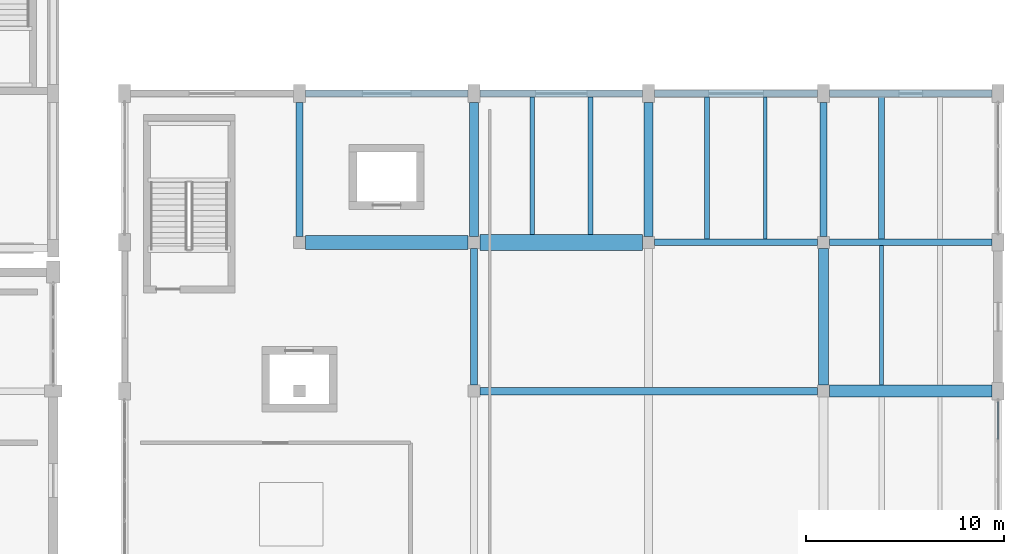
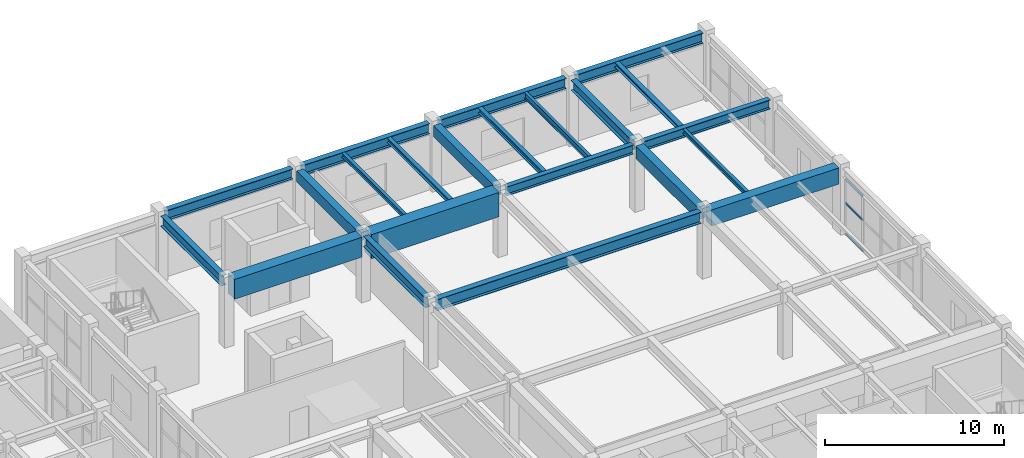
# One storey, part 52 of 85: 22 beams, 3 members, 1 element without a shape of its own.
"""IFC4 building model written with IfcOpenShell, lengths in metres."""

from ifc_helpers import new_model, si_unit, direction, frame, origin, origin_2d, place, context, subcontext, project, spatial, rectangle, hollow_rectangle, i_section, extrude, material, layer, layer_set, material_profile, profile_set, type_object, element, aggregate, save


model = new_model("IFC4")

# Units and contexts
model_context = context("Model", 3, precision=1e-05, world=origin(), true_north=direction((0.0, 1.0)))
body_context = subcontext(model_context, "Body", "Model", "MODEL_VIEW")
ifc_project = project(units=[si_unit("LENGTHUNIT", "METRE"), si_unit("AREAUNIT", "SQUARE_METRE"), si_unit("VOLUMEUNIT", "CUBIC_METRE"), si_unit("PLANEANGLEUNIT", "RADIAN"), si_unit("MASSUNIT", "GRAM", prefix="KILO")], contexts=[model_context])

# Site, building, storey
site_placement = place(None, origin())
site = spatial("IfcSite", under=ifc_project, at=site_placement, CompositionType="ELEMENT")
building_placement = place(site_placement, origin())
building = spatial("IfcBuilding", under=site, at=building_placement, Name="Vaelkrest Opera House", CompositionType="ELEMENT")
storey_placement = place(building_placement, frame((0.0, 0.0, 10.199951171875)))
storey = spatial("IfcBuildingStorey", under=building, at=storey_placement, Name="L02", CompositionType="ELEMENT", Elevation=10.199951171875)

# Beams
ifc_material_1 = material(Name="Concrete C50/60", Category="concrete")
ifc_material_profile_1 = material_profile(ifc_material_1, rectangle(XDim=0.449951171875, YDim=0.75, at=origin_2d()), Name="RCB450X750")
ifc_profile_set_1 = profile_set([ifc_material_profile_1], Name="Concrete C50/60")
beam_type_1 = type_object("IfcBeamType", Name="B02", PredefinedType="BEAM", material=ifc_profile_set_1)
for number, where, z_axis, x_axis, name in (
    (1, (51.199951171875, 18.0, 4.130126953125), (0.0, 1.0, 0.0), (-1.0, 0.0, 0.0), "Beam BM-V4-L02-2295"),
    (2, (60.0, 18.0, 4.130126953125), (0.0, 1.0, 0.0), (-1.0, 0.0, 0.0), "Beam BM-V4-L02-2299"),
):
    element("IfcBeam", number, at=place(storey_placement, frame(where, z_axis=z_axis, x_axis=x_axis)), inside=storey, type_object=beam_type_1, Name=name, PredefinedType="BEAM", context=body_context, shape_type="SweptSolid", body=[
        extrude(rectangle(XDim=0.449951171875, YDim=0.75, at=origin_2d()), origin(), (0.0, 0.0, 1.0), 6.75),
    ])
ifc_material_profile_2 = material_profile(ifc_material_1, rectangle(XDim=0.5, YDim=0.85009765625, at=origin_2d()), Name="RCB500X850")
ifc_profile_set_2 = profile_set([ifc_material_profile_2], Name="Concrete C50/60")
beam_type_2 = type_object("IfcBeamType", Name="B03", PredefinedType="BEAM", material=ifc_profile_set_2)
beam_1_placement = place(storey_placement, frame((68.800048828125, 10.5, 4.080078125), z_axis=(0.0, 1.0, 0.0), x_axis=(-1.0, 0.0, 0.0)))
element("IfcBeam", 3, at=beam_1_placement, inside=storey, type_object=beam_type_2, Name="Beam BM-V4-L02-2304", PredefinedType="BEAM", context=body_context, shape_type="SweptSolid", body=[
    extrude(rectangle(XDim=0.5, YDim=0.85009765625, at=origin_2d()), origin(), (0.0, 0.0, 1.0), 6.89990234375),
])
ifc_material_profile_3 = material_profile(ifc_material_1, rectangle(XDim=0.60009765625, YDim=1.10009765625, at=origin_2d()), Name="RCB600X1100")
ifc_profile_set_3 = profile_set([ifc_material_profile_3], Name="Concrete C50/60")
beam_type_3 = type_object("IfcBeamType", Name="B05", PredefinedType="BEAM", material=ifc_profile_set_3)
beam_2_placement = place(storey_placement, frame((69.10009765625, 10.199951171875, 3.955078125), z_axis=(1.0, 0.0, 0.0), x_axis=(0.0, 1.0, 0.0)))
element("IfcBeam", 4, at=beam_2_placement, inside=storey, type_object=beam_type_3, Name="Beam BM-V4-L02-2270", PredefinedType="BEAM", context=body_context, shape_type="SweptSolid", body=[
    extrude(rectangle(XDim=0.60009765625, YDim=1.10009765625, at=origin_2d()), origin(), (0.0, 0.0, 1.0), 8.199951171875),
])
ifc_material_profile_4 = material_profile(ifc_material_1, rectangle(XDim=0.699951171875, YDim=1.35009765625, at=origin_2d()), Name="RCB700X1350")
ifc_profile_set_4 = profile_set([ifc_material_profile_4], Name="Concrete C50/60")
beam_type_4 = type_object("IfcBeamType", Name="B06", PredefinedType="BEAM", material=ifc_profile_set_4)
beam_3_placement = place(storey_placement, frame((42.699951171875, 17.699951171875, 3.830078125), z_axis=(1.0, 0.0, 0.0), x_axis=(0.0, 1.0, 0.0)))
element("IfcBeam", 5, at=beam_3_placement, inside=storey, type_object=beam_type_4, Name="Beam BM-V4-L02-2271", PredefinedType="BEAM", context=body_context, shape_type="SweptSolid", body=[
    extrude(rectangle(XDim=0.699951171875, YDim=1.35009765625, at=origin_2d()), origin(), (0.0, 0.0, 1.0), 8.199951171875),
])
ifc_material_profile_5 = material_profile(ifc_material_1, rectangle(XDim=0.800048828125, YDim=1.64990234375, at=origin_2d()), Name="RCB800X1650")
ifc_profile_set_5 = profile_set([ifc_material_profile_5], Name="Concrete C50/60")
beam_type_5 = type_object("IfcBeamType", Name="B07", PredefinedType="BEAM", material=ifc_profile_set_5)
beam_4_placement = place(storey_placement, frame((51.5, 17.699951171875, 3.679931640625), z_axis=(1.0, 0.0, 0.0), x_axis=(0.0, 1.0, 0.0)))
element("IfcBeam", 6, at=beam_4_placement, inside=storey, type_object=beam_type_5, Name="Beam BM-V4-L02-2272", PredefinedType="BEAM", context=body_context, shape_type="SweptSolid", body=[
    extrude(rectangle(XDim=0.800048828125, YDim=1.64990234375, at=origin_2d()), origin(), (0.0, 0.0, 1.0), 8.199951171875),
])
ifc_material_2 = material(Name="Steel A992 Gr50", Category="steel")
ifc_material_profile_6 = material_profile(ifc_material_2, i_section(OverallWidth=0.323974609375, OverallDepth=0.611083984375, WebThickness=0.0126953125, FlangeThickness=0.01904296875, at=origin_2d()), Name="W24X104")
ifc_profile_set_6 = profile_set([ifc_material_profile_6], Name="Steel A992 Gr50")
beam_type_6 = type_object("IfcBeamType", Name="B08", PredefinedType="BEAM", material=ifc_profile_set_6)
beam_5_placement = place(storey_placement, frame((60.300048828125, 17.699951171875, 4.199462890625), z_axis=(1.0, 0.0, 0.0), x_axis=(0.0, 1.0, 0.0)))
element("IfcBeam", 7, at=beam_5_placement, inside=storey, type_object=beam_type_6, Name="Beam BM-V4-L02-2273", PredefinedType="BEAM", context=body_context, shape_type="SweptSolid", body=[
    extrude(i_section(OverallWidth=0.323974609375, OverallDepth=0.611083984375, WebThickness=0.0126953125, FlangeThickness=0.01904296875, at=origin_2d()), origin(), (0.0, 0.0, 1.0), 8.199951171875),
])
ifc_material_profile_7 = material_profile(ifc_material_2, i_section(OverallWidth=0.327880859375, OverallDepth=0.6279296875, WebThickness=0.0166015625, FlangeThickness=0.027587890625, at=origin_2d()), Name="W24X146")
ifc_profile_set_7 = profile_set([ifc_material_profile_7], Name="Steel A992 Gr50")
beam_type_7 = type_object("IfcBeamType", Name="B09", PredefinedType="BEAM", material=ifc_profile_set_7)
beam_6_placement = place(storey_placement, frame((69.10009765625, 17.699951171875, 4.191162109375), z_axis=(1.0, 0.0, 0.0), x_axis=(0.0, 1.0, 0.0)))
element("IfcBeam", 8, at=beam_6_placement, inside=storey, type_object=beam_type_7, Name="Beam BM-V4-L02-2274", PredefinedType="BEAM", context=body_context, shape_type="SweptSolid", body=[
    extrude(i_section(OverallWidth=0.327880859375, OverallDepth=0.6279296875, WebThickness=0.0166015625, FlangeThickness=0.027587890625, at=origin_2d()), origin(), (0.0, 0.0, 1.0), 8.199951171875),
])
ifc_material_profile_8 = material_profile(ifc_material_2, i_section(OverallWidth=0.35498046875, OverallDepth=0.695068359375, WebThickness=0.015380859375, FlangeThickness=0.02490234375, at=origin_2d()), Name="W27X146")
ifc_profile_set_8 = profile_set([ifc_material_profile_8], Name="Steel A992 Gr50")
beam_type_8 = type_object("IfcBeamType", Name="B10", PredefinedType="BEAM", material=ifc_profile_set_8)
for number, where, z_axis, x_axis, name in (
    (9, (42.39990234375, 18.0, 4.157470703125), (0.0, 1.0, 0.0), (-1.0, 0.0, 0.0), "Beam BM-V4-L02-2289"),
    (10, (68.800048828125, 18.0, 4.157470703125), (0.0, 1.0, 0.0), (-1.0, 0.0, 0.0), "Beam BM-V4-L02-2305"),
):
    element("IfcBeam", number, at=place(storey_placement, frame(where, z_axis=z_axis, x_axis=x_axis)), inside=storey, type_object=beam_type_8, Name=name, PredefinedType="BEAM", context=body_context, shape_type="SweptSolid", body=[
        extrude(i_section(OverallWidth=0.35498046875, OverallDepth=0.695068359375, WebThickness=0.015380859375, FlangeThickness=0.02490234375, at=origin_2d()), origin(), (0.0, 0.0, 1.0), 6.75),
    ])
ifc_material_profile_9 = material_profile(ifc_material_2, i_section(OverallWidth=0.381103515625, OverallDepth=0.77294921875, WebThickness=0.0166015625, FlangeThickness=0.027099609375, at=origin_2d()), Name="W30X173")
ifc_profile_set_9 = profile_set([ifc_material_profile_9], Name="Steel A992 Gr50")
beam_type_9 = type_object("IfcBeamType", Name="B11", PredefinedType="BEAM", material=ifc_profile_set_9)
beam_7_placement = place(storey_placement, frame((51.5, 10.199951171875, 4.11865234375), z_axis=(1.0, 0.0, 0.0), x_axis=(0.0, 1.0, 0.0)))
element("IfcBeam", 11, at=beam_7_placement, inside=storey, type_object=beam_type_9, Name="Beam BM-V4-L02-2269", PredefinedType="BEAM", context=body_context, shape_type="SweptSolid", body=[
    extrude(i_section(OverallWidth=0.381103515625, OverallDepth=0.77294921875, WebThickness=0.0166015625, FlangeThickness=0.027099609375, at=origin_2d()), origin(), (0.0, 0.0, 1.0), 17.0),
])
ifc_material_profile_10 = material_profile(ifc_material_2, i_section(OverallWidth=0.35791015625, OverallDepth=0.7060546875, WebThickness=0.018310546875, FlangeThickness=0.0302734375, at=origin_2d()), Name="W27X178")
ifc_profile_set_10 = profile_set([ifc_material_profile_10], Name="Steel A992 Gr50")
beam_type_10 = type_object("IfcBeamType", Name="B14", PredefinedType="BEAM", material=ifc_profile_set_10)
beam_8_placement = place(storey_placement, frame((51.199951171875, 10.5, 4.152099609375), z_axis=(0.0, 1.0, 0.0), x_axis=(-1.0, 0.0, 0.0)))
element("IfcBeam", 12, at=beam_8_placement, inside=storey, type_object=beam_type_10, Name="Beam BM-V4-L02-2294", PredefinedType="BEAM", context=body_context, shape_type="SweptSolid", body=[
    extrude(i_section(OverallWidth=0.35791015625, OverallDepth=0.7060546875, WebThickness=0.018310546875, FlangeThickness=0.0302734375, at=origin_2d()), origin(), (0.0, 0.0, 1.0), 6.89990234375),
])

# Curtain wall, members
ifc_material_3 = material(Name="Dark bronze anodized aluminium", Category="aluminium")
ifc_layer = layer(ifc_material_3, 0.239990234375)
ifc_layer_set = layer_set([ifc_layer], Name="Dark bronze anodized aluminium")
curtain_wall_type = type_object("IfcCurtainWallType", Name="CW07", PredefinedType="NOTDEFINED", material=ifc_layer_set)
curtain_wall_placement = place(storey_placement, origin())
curtain_wall = element("IfcCurtainWall", 13, at=curtain_wall_placement, inside=storey, type_object=curtain_wall_type, Name="Curtain wall CW-L02-165", PredefinedType="NOTDEFINED")
ifc_material_profile_11 = material_profile(ifc_material_3, hollow_rectangle(XDim=0.06494140625, YDim=0.139892578125, WallThickness=0.00390625, at=origin_2d()), Name="CWT65X140")
ifc_profile_set_11 = profile_set([ifc_material_profile_11], Name="Dark bronze anodized aluminium")
member_type = type_object("IfcMemberType", Name="CWT01", PredefinedType="USERDEFINED", material=ifc_profile_set_11)
member_1_placement = place(storey_placement, frame((77.60009765625, 9.677001953125, 0.032470703125), z_axis=(0.0, -1.0, 0.0), x_axis=(1.0, 0.0, 0.0)))
member_1 = element("IfcMember", 14, at=member_1_placement, type_object=member_type, Name="CW07 transom 1.1", ObjectType="TRANSOM", PredefinedType="USERDEFINED", context=body_context, shape_type="SweptSolid", body=[
    extrude(hollow_rectangle(XDim=0.06494140625, YDim=0.139892578125, WallThickness=0.00390625, at=origin_2d()), origin(), (0.0, 0.0, 1.0), 1.91357421875),
])
member_2_placement = place(storey_placement, frame((77.60009765625, 9.677001953125, 2.150146484375), z_axis=(0.0, -1.0, 0.0), x_axis=(1.0, 0.0, 0.0)))
member_2 = element("IfcMember", 15, at=member_2_placement, type_object=member_type, Name="CW07 transom 1.2", ObjectType="TRANSOM", PredefinedType="USERDEFINED", context=body_context, shape_type="SweptSolid", body=[
    extrude(hollow_rectangle(XDim=0.06494140625, YDim=0.139892578125, WallThickness=0.00390625, at=origin_2d()), origin(), (0.0, 0.0, 1.0), 1.91357421875),
])
member_3_placement = place(storey_placement, frame((77.60009765625, 9.677001953125, 3.796630859375), z_axis=(0.0, -1.0, 0.0), x_axis=(1.0, 0.0, 0.0)))
member_3 = element("IfcMember", 16, at=member_3_placement, type_object=member_type, Name="CW07 transom 1.3", ObjectType="TRANSOM", PredefinedType="USERDEFINED", context=body_context, shape_type="SweptSolid", body=[
    extrude(hollow_rectangle(XDim=0.06494140625, YDim=0.139892578125, WallThickness=0.00390625, at=origin_2d()), origin(), (0.0, 0.0, 1.0), 1.91357421875),
])
aggregate(curtain_wall, [member_1, member_2, member_3])

# Beams
ifc_material_profile_12 = material_profile(ifc_material_2, i_section(OverallWidth=0.202880859375, OverallDepth=0.302978515625, WebThickness=0.007568359375, FlangeThickness=0.01318359375, at=origin_2d()), Name="W12X40")
ifc_profile_set_12 = profile_set([ifc_material_profile_12], Name="Steel A992 Gr50")
beam_type_11 = type_object("IfcBeamType", Name="J02", PredefinedType="JOIST", material=ifc_profile_set_12)
beam_9_placement = place(storey_placement, frame((54.133056640625, 18.10009765625, 4.353515625), z_axis=(0.0, 1.0, 0.0), x_axis=(-1.0, 0.0, 0.0)))
element("IfcBeam", 17, at=beam_9_placement, inside=storey, type_object=beam_type_11, Name="Floor joist JST-V4-L02-2322", PredefinedType="JOIST", context=body_context, shape_type="SweptSolid", body=[
    extrude(i_section(OverallWidth=0.202880859375, OverallDepth=0.302978515625, WebThickness=0.007568359375, FlangeThickness=0.01318359375, at=origin_2d()), origin(), (0.0, 0.0, 1.0), 6.92236328125),
])
beam_10_placement = place(storey_placement, frame((71.73291015625, 10.5, 4.353515625), z_axis=(0.0, 1.0, 0.0), x_axis=(-1.0, 0.0, 0.0)))
element("IfcBeam", 18, at=beam_10_placement, inside=storey, type_object=beam_type_11, Name="Floor joist JST-V4-L02-2332", PredefinedType="JOIST", context=body_context, shape_type="SweptSolid", body=[
    extrude(i_section(OverallWidth=0.202880859375, OverallDepth=0.302978515625, WebThickness=0.007568359375, FlangeThickness=0.01318359375, at=origin_2d()), origin(), (0.0, 0.0, 1.0), 7.035888671875),
])
ifc_material_profile_13 = material_profile(ifc_material_2, i_section(OverallWidth=0.25390625, OverallDepth=0.305908203125, WebThickness=0.0087890625, FlangeThickness=0.0146484375, at=origin_2d()), Name="W12X53")
ifc_profile_set_13 = profile_set([ifc_material_profile_13], Name="Steel A992 Gr50")
beam_type_12 = type_object("IfcBeamType", Name="J03", PredefinedType="JOIST", material=ifc_profile_set_13)
beam_11_placement = place(storey_placement, frame((57.06689453125, 18.10009765625, 4.35205078125), z_axis=(0.0, 1.0, 0.0), x_axis=(-1.0, 0.0, 0.0)))
element("IfcBeam", 19, at=beam_11_placement, inside=storey, type_object=beam_type_12, Name="Floor joist JST-V4-L02-2323", PredefinedType="JOIST", context=body_context, shape_type="SweptSolid", body=[
    extrude(i_section(OverallWidth=0.25390625, OverallDepth=0.305908203125, WebThickness=0.0087890625, FlangeThickness=0.0146484375, at=origin_2d()), origin(), (0.0, 0.0, 1.0), 6.92236328125),
])
ifc_material_profile_14 = material_profile(ifc_material_2, i_section(OverallWidth=0.304931640625, OverallDepth=0.30810546875, WebThickness=0.010009765625, FlangeThickness=0.015380859375, at=origin_2d()), Name="W12X65")
ifc_profile_set_14 = profile_set([ifc_material_profile_14], Name="Steel A992 Gr50")
beam_type_13 = type_object("IfcBeamType", Name="J04", PredefinedType="JOIST", material=ifc_profile_set_14)
beam_12_placement = place(storey_placement, frame((71.73291015625, 17.864013671875, 4.35107421875), z_axis=(0.0, 1.0, 0.0), x_axis=(-1.0, 0.0, 0.0)))
element("IfcBeam", 20, at=beam_12_placement, inside=storey, type_object=beam_type_13, Name="Floor joist JST-V4-L02-2334", PredefinedType="JOIST", context=body_context, shape_type="SweptSolid", body=[
    extrude(i_section(OverallWidth=0.304931640625, OverallDepth=0.30810546875, WebThickness=0.010009765625, FlangeThickness=0.015380859375, at=origin_2d()), origin(), (0.0, 0.0, 1.0), 7.158447265625),
])
ifc_material_profile_15 = material_profile(ifc_material_2, i_section(OverallWidth=0.257080078125, OverallDepth=0.363037109375, WebThickness=0.012939453125, FlangeThickness=0.021728515625, at=origin_2d()), Name="W14X82")
ifc_profile_set_15 = profile_set([ifc_material_profile_15], Name="Steel A992 Gr50")
beam_type_14 = type_object("IfcBeamType", Name="J06", PredefinedType="JOIST", material=ifc_profile_set_15)
beam_13_placement = place(storey_placement, frame((62.93310546875, 17.862060546875, 4.323486328125), z_axis=(0.0, 1.0, 0.0), x_axis=(-1.0, 0.0, 0.0)))
element("IfcBeam", 21, at=beam_13_placement, inside=storey, type_object=beam_type_14, Name="Floor joist JST-V4-L02-2326", PredefinedType="JOIST", context=body_context, shape_type="SweptSolid", body=[
    extrude(i_section(OverallWidth=0.257080078125, OverallDepth=0.363037109375, WebThickness=0.012939453125, FlangeThickness=0.021728515625, at=origin_2d()), origin(), (0.0, 0.0, 1.0), 7.160400390625),
])
ifc_material_profile_16 = material_profile(ifc_material_2, i_section(OverallWidth=0.180908203125, OverallDepth=0.4169921875, WebThickness=0.010986328125, FlangeThickness=0.018310546875, at=origin_2d()), Name="W16X57")
ifc_profile_set_16 = profile_set([ifc_material_profile_16], Name="Steel A992 Gr50")
beam_type_15 = type_object("IfcBeamType", Name="J07", PredefinedType="JOIST", material=ifc_profile_set_16)
beam_14_placement = place(storey_placement, frame((65.866943359375, 17.862060546875, 4.296630859375), z_axis=(0.0, 1.0, 0.0), x_axis=(-1.0, 0.0, 0.0)))
element("IfcBeam", 22, at=beam_14_placement, inside=storey, type_object=beam_type_15, Name="Floor joist JST-V4-L02-2327", PredefinedType="JOIST", context=body_context, shape_type="SweptSolid", body=[
    extrude(i_section(OverallWidth=0.180908203125, OverallDepth=0.4169921875, WebThickness=0.010986328125, FlangeThickness=0.018310546875, at=origin_2d()), origin(), (0.0, 0.0, 1.0), 7.160400390625),
])
ifc_material_profile_17 = material_profile(ifc_material_2, i_section(OverallWidth=0.35498046875, OverallDepth=0.695068359375, WebThickness=0.015380859375, FlangeThickness=0.02490234375, at=origin_2d()), Name="W27X146")
ifc_profile_set_17 = profile_set([ifc_material_profile_17], Name="Steel A992 Gr50")
beam_type_16 = type_object("IfcBeamType", Name="SP02", PredefinedType="SPANDREL", material=ifc_profile_set_17)
for number, where, z_axis, x_axis, name in (
    (23, (42.699951171875, 25.199951171875, 4.157470703125), (1.0, 0.0, 0.0), (0.0, 1.0, 0.0), "Beam BM-V4-L02-2276"),
    (24, (51.5, 25.199951171875, 4.157470703125), (1.0, 0.0, 0.0), (0.0, 1.0, 0.0), "Beam BM-V4-L02-2277"),
    (25, (60.300048828125, 25.199951171875, 4.157470703125), (1.0, 0.0, 0.0), (0.0, 1.0, 0.0), "Beam BM-V4-L02-2278"),
    (26, (69.10009765625, 25.199951171875, 4.157470703125), (1.0, 0.0, 0.0), (0.0, 1.0, 0.0), "Beam BM-V4-L02-2279"),
):
    element("IfcBeam", number, at=place(storey_placement, frame(where, z_axis=z_axis, x_axis=x_axis)), inside=storey, type_object=beam_type_16, Name=name, PredefinedType="SPANDREL", context=body_context, shape_type="SweptSolid", body=[
        extrude(i_section(OverallWidth=0.35498046875, OverallDepth=0.695068359375, WebThickness=0.015380859375, FlangeThickness=0.02490234375, at=origin_2d()), origin(), (0.0, 0.0, 1.0), 8.199951171875),
    ])

save(model, "model.ifc")
